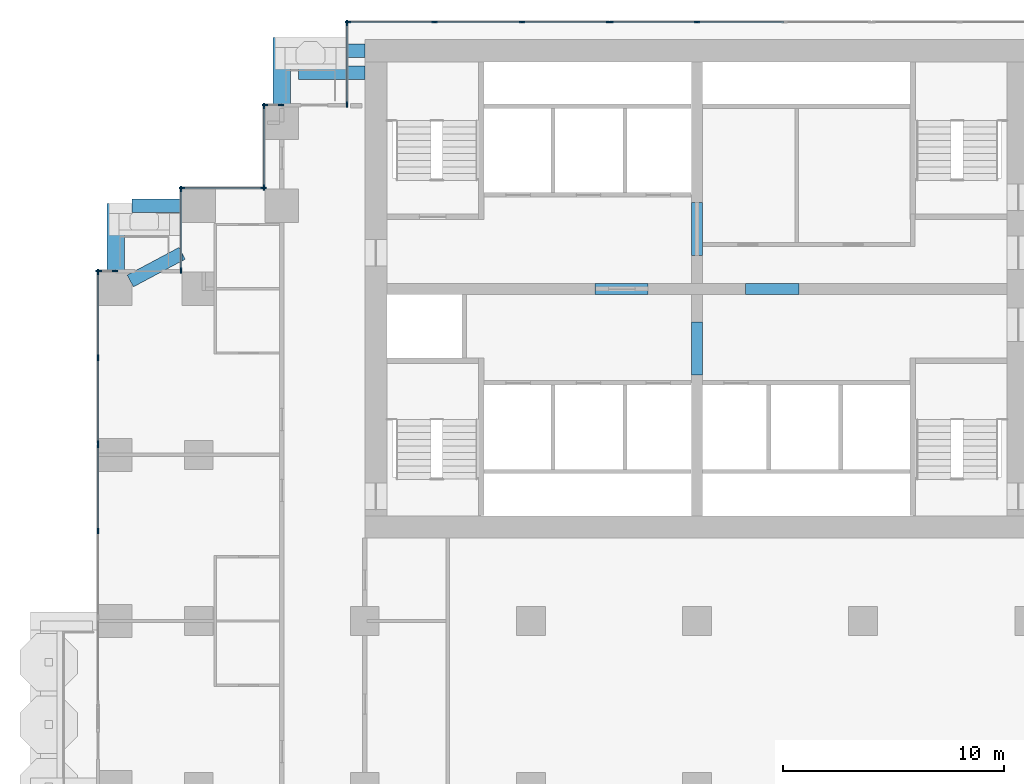
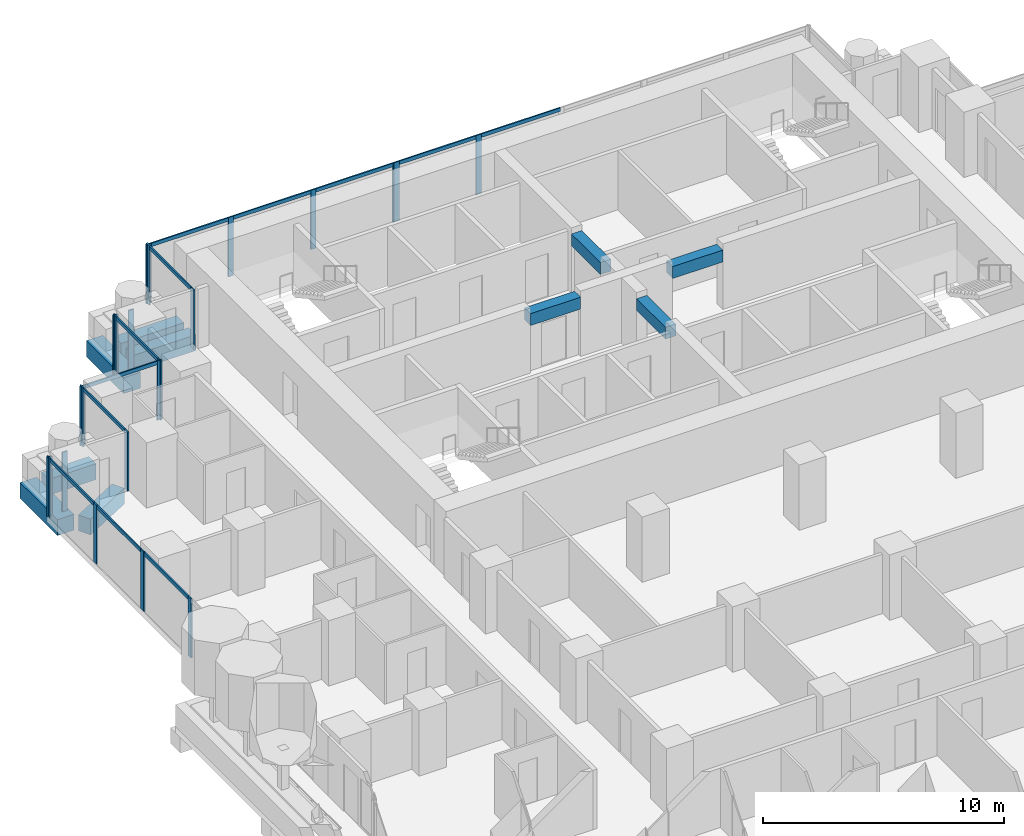
# One storey, part 5 of 19: 35 members, 10 beams, 10 elements without a shape of their own.
"""IFC4 building model written with IfcOpenShell, lengths in metres."""

import ifcopenshell
import ifcopenshell.guid

model = None  # the IFC model being written
_history = None  # IfcOwnerHistory: only IFC2X3 demands one
_inside = {}  # id of a spatial element -> (the spatial element, [elements in it])
_under = {}  # id of a project, library or spatial element -> (it, [spatial elements below it])
_declared = {}  # id of a project -> (the project, [libraries it declares])
_typed = {}  # id of a type object -> (the type object, [elements of that type])
_made_of = {}  # id of a material, layer set ... -> (it, [elements and type objects made of it])


def new_model(schema):
    """Start an empty IFC model of exactly this schema.

    Asked for "IFC4X3", IfcOpenShell would pick the latest addendum, in which some entities
    have other attributes; the version numbers below select the first issue.
    IFC2X3 requires an IfcOwnerHistory on every rooted entity: one is made here for all.
    """
    global model, _history
    if schema == "IFC4X3":
        model = ifcopenshell.file(schema_version=(4, 3, 0, 0))
    else:
        model = ifcopenshell.file(schema=schema)
    _inside.clear()
    _under.clear()
    _declared.clear()
    _typed.clear()
    _made_of.clear()
    _history = None
    if model.schema == "IFC2X3":
        org = make("IfcOrganization", Name="unknown")
        user = make(
            "IfcPersonAndOrganization",
            ThePerson=make("IfcPerson", FamilyName="unknown"),
            TheOrganization=org,
        )
        app = make(
            "IfcApplication",
            ApplicationDeveloper=org,
            Version="unknown",
            ApplicationFullName="unknown",
            ApplicationIdentifier="unknown",
        )
        _history = make(
            "IfcOwnerHistory",
            OwningUser=user,
            OwningApplication=app,
            ChangeAction="ADDED",
            CreationDate=0,
        )
    return model


def make(cls, **values):
    """One entity of the class cls with the attributes given. An attribute that is None is left unset."""
    return model.create_entity(
        cls, **{name: value for name, value in values.items() if value is not None}
    )


def rooted(cls, **values):
    """An entity with a GlobalId (a new one), such as an element, a storey or a relation."""
    return make(cls, GlobalId=ifcopenshell.guid.new(), OwnerHistory=_history, **values)


def si_unit(unit_type, name, prefix=None):
    """IfcSIUnit, for example si_unit("LENGTHUNIT", "METRE", prefix="MILLI")."""
    return make("IfcSIUnit", UnitType=unit_type, Prefix=prefix, Name=name)


def assignment(units):
    """IfcUnitAssignment: the units of a project."""
    return None if units is None else make("IfcUnitAssignment", Units=units)


def point(xyz):
    """IfcCartesianPoint."""
    return None if xyz is None else make("IfcCartesianPoint", Coordinates=xyz)


def direction(xyz):
    """IfcDirection."""
    return None if xyz is None else make("IfcDirection", DirectionRatios=xyz)


def frame(location, z_axis=None, x_axis=None):
    """IfcAxis2Placement3D, a coordinate frame: its origin and axes. An axis left out is left unset."""
    return make(
        "IfcAxis2Placement3D",
        Location=point(location),
        Axis=direction(z_axis),
        RefDirection=direction(x_axis),
    )


def frame_2d(location, x_axis=None):
    """IfcAxis2Placement2D, a coordinate frame in the plane: its origin and x axis."""
    return make(
        "IfcAxis2Placement2D", Location=point(location), RefDirection=direction(x_axis)
    )


def origin():
    """The frame at (0, 0, 0) with its axes left unset."""
    return frame((0.0, 0.0, 0.0))


def origin_2d():
    """The frame at (0, 0) in the plane with its x axis left unset."""
    return frame_2d((0.0, 0.0))


def place(relative_to, where):
    """IfcLocalPlacement: puts the frame where relative to a parent placement (None: the world)."""
    return make(
        "IfcLocalPlacement", PlacementRelTo=relative_to, RelativePlacement=where
    )


def context(
    kind, dimensions, precision=None, world=None, true_north=None, identifier=None
):
    """IfcGeometricRepresentationContext, for example the 3D "Model" context."""
    return make(
        "IfcGeometricRepresentationContext",
        ContextIdentifier=identifier,
        ContextType=kind,
        CoordinateSpaceDimension=dimensions,
        Precision=precision,
        WorldCoordinateSystem=world,
        TrueNorth=true_north,
    )


def subcontext(parent, identifier, kind, view, scale=None):
    """IfcGeometricRepresentationSubContext, for example "Body" below "Model"."""
    return make(
        "IfcGeometricRepresentationSubContext",
        ContextIdentifier=identifier,
        ContextType=kind,
        ParentContext=parent,
        TargetScale=scale,
        TargetView=view,
    )


def project(units=None, contexts=None):
    """IfcProject with its units and contexts."""
    return rooted(
        "IfcProject",
        Name="project",
        RepresentationContexts=contexts,
        UnitsInContext=assignment(units),
    )


def spatial(cls, under=None, at=None, **own):
    """A site, building, storey or space (cls), placed at a placement, below another one or the project."""
    s = rooted(cls, ObjectPlacement=at, **own)
    if under is not None:
        _under.setdefault(under.id(), (under, []))[1].append(s)
    return s


def profile(cls, at=None, kind="AREA", **sizes):
    """A parametric profile (cls). Its sizes go by their IFC names, for example OverallWidth=200.0."""
    return make(cls, ProfileType=kind, Position=at, **sizes)


def rectangle(**sizes):
    """IfcRectangleProfileDef."""
    return profile("IfcRectangleProfileDef", **sizes)


def extrude(swept, where, along, depth):
    """IfcExtrudedAreaSolid: the profile swept, set in the frame where, extruded along a direction by depth."""
    return make(
        "IfcExtrudedAreaSolid",
        SweptArea=swept,
        Position=where,
        ExtrudedDirection=direction(along),
        Depth=depth,
    )


def shape(context_of_items, identifier, shape_type, items):
    """IfcShapeRepresentation: the items that make up one representation, for example the "Body"."""
    return make(
        "IfcShapeRepresentation",
        ContextOfItems=context_of_items,
        RepresentationIdentifier=identifier,
        RepresentationType=shape_type,
        Items=items,
    )


def material(Name=None, Category=None):
    """IfcMaterial."""
    return make("IfcMaterial", Name=Name, Category=Category)


def material_profile(
    of_material, cross_section, Name=None, Category=None, Priority=None
):
    """IfcMaterialProfile: a cross section and its material."""
    return make(
        "IfcMaterialProfile",
        Name=Name,
        Material=of_material,
        Profile=cross_section,
        Priority=Priority,
        Category=Category,
    )


def profile_set(profiles, Name=None, composite=None):
    """IfcMaterialProfileSet."""
    return make(
        "IfcMaterialProfileSet",
        Name=Name,
        MaterialProfiles=profiles,
        CompositeProfile=composite,
    )


def made_of(thing, what):
    """Note that an element or type object is made of a material, layer set ...; save() writes the relation."""
    if what is not None:
        _made_of.setdefault(what.id(), (what, []))[1].append(thing)
    return thing


def type_object(cls, material=None, **own):
    """A type object (cls), such as IfcWallType, which elements share."""
    return made_of(rooted(cls, **own), material)


def element(
    cls,
    number,
    at=None,
    inside=None,
    cuts=None,
    type_object=None,
    material=None,
    context=None,
    identifier="Body",
    shape_type=None,
    held_by="IfcProductDefinitionShape",
    body=None,
    shapes=None,
    **own,
):
    """One element of the class cls, such as IfcWall. Its Tag is "e" and its number.

    at: its placement. inside: the storey or other place that contains it. cuts: it is an
    opening in that element (IfcRelVoidsElement). A single representation is given by context,
    identifier, shape_type and body (its items); several are given by shapes. held_by: the class
    of the entity that holds the representations. save() writes the other relations.
    """
    e = rooted(cls, Tag="e%d" % number, ObjectPlacement=at, **own)
    if body is not None:
        shapes = [shape(context, identifier, shape_type, body)]
    if shapes is not None:
        e.Representation = make(held_by, Representations=shapes)
    if inside is not None:
        _inside.setdefault(inside.id(), (inside, []))[1].append(e)
    if cuts is not None:
        rooted(
            "IfcRelVoidsElement", RelatingBuildingElement=cuts, RelatedOpeningElement=e
        )
    if type_object is not None:
        _typed.setdefault(type_object.id(), (type_object, []))[1].append(e)
    return made_of(e, material)


def aggregate(whole, parts):
    """IfcRelAggregates: a whole, such as a stair, and the parts it consists of."""
    return rooted("IfcRelAggregates", RelatingObject=whole, RelatedObjects=parts)


def save(model, path):
    """Write the relations noted so far, then the file.

    IfcRelAggregates (storeys below a building ...), IfcRelContainedInSpatialStructure (elements
    in a storey), IfcRelDefinesByType, IfcRelAssociatesMaterial and IfcRelDeclares: one each for
    every whole, place, type object, material and project.
    """
    for whole, parts in _under.values():
        aggregate(whole, parts)
    for where, things in _inside.values():
        rooted(
            "IfcRelContainedInSpatialStructure",
            RelatedElements=things,
            RelatingStructure=where,
        )
    for kind, things in _typed.values():
        rooted("IfcRelDefinesByType", RelatedObjects=things, RelatingType=kind)
    for what, things in _made_of.values():
        rooted("IfcRelAssociatesMaterial", RelatedObjects=things, RelatingMaterial=what)
    for by, libraries in _declared.values():
        rooted("IfcRelDeclares", RelatingContext=by, RelatedDefinitions=libraries)
    model.write(path)


model = new_model("IFC4")

# Units and contexts
model_context = context("Model", 3, precision=1e-05, world=origin(), true_north=direction((0.0, 1.0)))
body_context = subcontext(model_context, "Body", "Model", "MODEL_VIEW")
ifc_project = project(units=[si_unit("LENGTHUNIT", "METRE"), si_unit("AREAUNIT", "SQUARE_METRE"), si_unit("VOLUMEUNIT", "CUBIC_METRE"), si_unit("PLANEANGLEUNIT", "RADIAN"), si_unit("MASSUNIT", "GRAM", prefix="KILO")], contexts=[model_context])

# Site, building, storey
site_placement = place(None, origin())
site = spatial("IfcSite", under=ifc_project, at=site_placement, CompositionType="ELEMENT")
building_placement = place(site_placement, origin())
building = spatial("IfcBuilding", under=site, at=building_placement, Name="Pilkhan Gate Tower", CompositionType="ELEMENT")
storey_placement = place(building_placement, frame((0.0, 0.0, 79.10009765625)))
storey = spatial("IfcBuildingStorey", under=building, at=storey_placement, Name="L18", CompositionType="ELEMENT", Elevation=79.10009765625)

# Beams
ifc_material_1 = material(Name="Concrete C50/60", Category="concrete")
ifc_material_profile_1 = material_profile(ifc_material_1, rectangle(XDim=0.60009765625, YDim=0.800048828125, at=origin_2d()), Name="RC 600x800")
ifc_profile_set_1 = profile_set([ifc_material_profile_1], Name="Concrete C50/60")
beam_type_1 = type_object("IfcBeamType", Name="Cantilever beam CB1 RC 600x800 C50/60", PredefinedType="BEAM", material=ifc_profile_set_1)
for number, where, z_axis, x_axis, name in (
    (1, (60.0, 93.25, -0.7001953125), (-1.0, 0.0, 0.0), (0.0, -1.0, 0.0), "Balcony beam NW.2 L18"),
    (2, (60.0, 92.25, -0.7001953125), (-1.0, 0.0, 0.0), (0.0, -1.0, 0.0), "Balcony beam NW.3 L18"),
):
    element("IfcBeam", number, at=place(storey_placement, frame(where, z_axis=z_axis, x_axis=x_axis)), inside=storey, type_object=beam_type_1, Name=name, PredefinedType="BEAM", context=body_context, shape_type="SweptSolid", body=[
        extrude(rectangle(XDim=0.60009765625, YDim=0.800048828125, at=origin_2d()), origin(), (0.0, 0.0, 1.0), 3.0),
    ])
beam_1_placement = place(storey_placement, frame((51.75, 86.25, -0.7001953125), z_axis=(-1.0, 0.0, 0.0), x_axis=(0.0, -1.0, 0.0)))
element("IfcBeam", 3, at=beam_1_placement, inside=storey, type_object=beam_type_1, Name="Balcony beam NW2.2 L18", PredefinedType="BEAM", context=body_context, shape_type="SweptSolid", body=[
    extrude(rectangle(XDim=0.60009765625, YDim=0.800048828125, at=origin_2d()), origin(), (0.0, 0.0, 1.0), 2.25),
])
beam_2_placement = place(storey_placement, frame((49.411865234375, 82.85302734375, -0.7001953125), z_axis=(0.882342739565, 0.470607362817, 0.0), x_axis=(-0.470607362817, 0.882342739565, 0.0)))
element("IfcBeam", 4, at=beam_2_placement, inside=storey, type_object=beam_type_1, Name="Balcony beam NW2.3 L18", PredefinedType="BEAM", context=body_context, shape_type="SweptSolid", body=[
    extrude(rectangle(XDim=0.60009765625, YDim=0.800048828125, at=origin_2d()), origin(), (0.0, 0.0, 1.0), 2.64990234375),
])
ifc_material_profile_2 = material_profile(ifc_material_1, rectangle(XDim=0.800048828125, YDim=0.800048828125, at=origin_2d()), Name="RC 800x800")
ifc_profile_set_2 = profile_set([ifc_material_profile_2], Name="Concrete C50/60")
beam_type_2 = type_object("IfcBeamType", Name="Cantilever beam CB2 RC 800x800 C50/60", PredefinedType="BEAM", material=ifc_profile_set_2)
for number, where, z_axis, x_axis, name in (
    (5, (56.25, 90.75, -0.7001953125), (0.0, 1.0, 0.0), (-1.0, 0.0, 0.0), "Balcony beam NW.1 L18"),
    (6, (48.75, 83.25, -0.7001953125), (0.0, 1.0, 0.0), (-1.0, 0.0, 0.0), "Balcony beam NW2.1 L18"),
):
    element("IfcBeam", number, at=place(storey_placement, frame(where, z_axis=z_axis, x_axis=x_axis)), inside=storey, type_object=beam_type_2, Name=name, PredefinedType="BEAM", context=body_context, shape_type="SweptSolid", body=[
        extrude(rectangle(XDim=0.800048828125, YDim=0.800048828125, at=origin_2d()), origin(), (0.0, 0.0, 1.0), 3.10009765625),
    ])
ifc_material_2 = material(Name="Concrete C70/85", Category="concrete")
ifc_material_profile_3 = material_profile(ifc_material_2, rectangle(XDim=0.5, YDim=0.60009765625, at=origin_2d()), Name="RC 500x600")
ifc_profile_set_3 = profile_set([ifc_material_profile_3], Name="Concrete C70/85")
beam_type_3 = type_object("IfcBeamType", Name="Coupling beam CB60 RC 500x600 C70/85", PredefinedType="LINTEL", material=ifc_profile_set_3)
for number, where, z_axis, x_axis, name in (
    (7, (70.39990234375, 82.5, 2.699951171875), (1.0, 0.0, 0.0), (0.0, 1.0, 0.0), "Coupling beam 1 L18"),
    (8, (77.199951171875, 82.5, 2.699951171875), (1.0, 0.0, 0.0), (0.0, 1.0, 0.0), "Coupling beam 2 L18"),
):
    element("IfcBeam", number, at=place(storey_placement, frame(where, z_axis=z_axis, x_axis=x_axis)), inside=storey, type_object=beam_type_3, Name=name, PredefinedType="LINTEL", context=body_context, shape_type="SweptSolid", body=[
        extrude(rectangle(XDim=0.5, YDim=0.60009765625, at=origin_2d()), origin(), (0.0, 0.0, 1.0), 2.400146484375),
    ])
for number, where, z_axis, x_axis, name in (
    (9, (75.0, 78.60009765625, 2.699951171875), (0.0, 1.0, 0.0), (-1.0, 0.0, 0.0), "Coupling beam 3 L18"),
    (10, (75.0, 84.0, 2.699951171875), (0.0, 1.0, 0.0), (-1.0, 0.0, 0.0), "Coupling beam 4 L18"),
):
    element("IfcBeam", number, at=place(storey_placement, frame(where, z_axis=z_axis, x_axis=x_axis)), inside=storey, type_object=beam_type_3, Name=name, PredefinedType="LINTEL", context=body_context, shape_type="SweptSolid", body=[
        extrude(rectangle(XDim=0.5, YDim=0.60009765625, at=origin_2d()), origin(), (0.0, 0.0, 1.0), 2.39990234375),
    ])

# Curtain wall, members
ifc_material_3 = material(Name="Pale anodised aluminium, clear low-iron double glazing", Category="aluminium")
curtain_wall_type = type_object("IfcCurtainWallType", Name="Hotel unitised curtain wall CW-H", PredefinedType="USERDEFINED", material=ifc_material_3)
curtain_wall_1_placement = place(storey_placement, origin())
curtain_wall_1 = element("IfcCurtainWall", 11, at=curtain_wall_1_placement, inside=storey, type_object=curtain_wall_type, Name="Hotel unitised curtain wall CW-H L18 N", ObjectType="UNITISED CURTAIN WALL", PredefinedType="USERDEFINED")
ifc_material_4 = material(Name="Pale anodised aluminium", Category="aluminium")
ifc_material_profile_4 = material_profile(ifc_material_4, rectangle(XDim=0.06494140625, YDim=0.25, at=origin_2d()), Name="Mullion 250x65")
ifc_profile_set_4 = profile_set([ifc_material_profile_4], Name="Pale anodised aluminium")
member_type_1 = type_object("IfcMemberType", Name="Mullion CW-H 250x65", PredefinedType="MULLION", material=ifc_profile_set_4)
member_1_placement = place(storey_placement, frame((59.237548828125, 94.544921875, 0.0), z_axis=(0.0, 0.0, 1.0), x_axis=(0.0, 1.0, 0.0)))
member_1 = element("IfcMember", 12, at=member_1_placement, type_object=member_type_1, Name="CW-H mullion 1", PredefinedType="MULLION", context=body_context, shape_type="SweptSolid", body=[
    extrude(rectangle(XDim=0.06494140625, YDim=0.25, at=origin_2d()), origin(), (0.0, 0.0, 1.0), 3.0),
])
member_2_placement = place(storey_placement, frame((63.15380859375, 94.544921875, 0.0), z_axis=(0.0, 0.0, 1.0), x_axis=(0.0, 1.0, 0.0)))
member_2 = element("IfcMember", 13, at=member_2_placement, type_object=member_type_1, Name="CW-H mullion 2", PredefinedType="MULLION", context=body_context, shape_type="SweptSolid", body=[
    extrude(rectangle(XDim=0.06494140625, YDim=0.25, at=origin_2d()), origin(), (0.0, 0.0, 1.0), 3.0),
])
member_3_placement = place(storey_placement, frame((67.1025390625, 94.544921875, 0.0), z_axis=(0.0, 0.0, 1.0), x_axis=(0.0, 1.0, 0.0)))
member_3 = element("IfcMember", 14, at=member_3_placement, type_object=member_type_1, Name="CW-H mullion 3", PredefinedType="MULLION", context=body_context, shape_type="SweptSolid", body=[
    extrude(rectangle(XDim=0.06494140625, YDim=0.25, at=origin_2d()), origin(), (0.0, 0.0, 1.0), 3.0),
])
member_4_placement = place(storey_placement, frame((71.018798828125, 94.544921875, 0.0), z_axis=(0.0, 0.0, 1.0), x_axis=(0.0, 1.0, 0.0)))
member_4 = element("IfcMember", 15, at=member_4_placement, type_object=member_type_1, Name="CW-H mullion 4", PredefinedType="MULLION", context=body_context, shape_type="SweptSolid", body=[
    extrude(rectangle(XDim=0.06494140625, YDim=0.25, at=origin_2d()), origin(), (0.0, 0.0, 1.0), 3.0),
])

curtain_wall_2_placement = place(storey_placement, origin())
curtain_wall_2 = element("IfcCurtainWall", 16, at=curtain_wall_2_placement, inside=storey, type_object=curtain_wall_type, Name="Hotel unitised curtain wall CW-H L18 N", ObjectType="UNITISED CURTAIN WALL", PredefinedType="USERDEFINED")
member_5_placement = place(storey_placement, frame((71.083740234375, 94.544921875, 0.0), z_axis=(0.0, 0.0, 1.0), x_axis=(0.0, 1.0, 0.0)))
member_5 = element("IfcMember", 17, at=member_5_placement, type_object=member_type_1, Name="CW-H mullion 1", PredefinedType="MULLION", context=body_context, shape_type="SweptSolid", body=[
    extrude(rectangle(XDim=0.06494140625, YDim=0.25, at=origin_2d()), origin(), (0.0, 0.0, 1.0), 3.0),
])
member_6_placement = place(storey_placement, frame((75.0, 94.544921875, 0.0), z_axis=(0.0, 0.0, 1.0), x_axis=(0.0, 1.0, 0.0)))
member_6 = element("IfcMember", 18, at=member_6_placement, type_object=member_type_1, Name="CW-H mullion 2", PredefinedType="MULLION", context=body_context, shape_type="SweptSolid", body=[
    extrude(rectangle(XDim=0.06494140625, YDim=0.25, at=origin_2d()), origin(), (0.0, 0.0, 1.0), 3.0),
])

curtain_wall_3_placement = place(storey_placement, origin())
curtain_wall_3 = element("IfcCurtainWall", 19, at=curtain_wall_3_placement, inside=storey, type_object=curtain_wall_type, Name="Hotel unitised curtain wall CW-H L18 W", ObjectType="UNITISED CURTAIN WALL", PredefinedType="USERDEFINED")
member_7_placement = place(storey_placement, frame((59.205078125, 90.827392578125, 0.0), z_axis=(0.0, 0.0, 1.0), x_axis=(-1.0, 0.0, 0.0)))
member_7 = element("IfcMember", 20, at=member_7_placement, type_object=member_type_1, Name="CW-H mullion 1", PredefinedType="MULLION", context=body_context, shape_type="SweptSolid", body=[
    extrude(rectangle(XDim=0.06494140625, YDim=0.25, at=origin_2d()), origin(), (0.0, 0.0, 1.0), 3.0),
])
member_8_placement = place(storey_placement, frame((59.205078125, 94.512451171875, 0.0), z_axis=(0.0, 0.0, 1.0), x_axis=(-1.0, 0.0, 0.0)))
member_8 = element("IfcMember", 21, at=member_8_placement, type_object=member_type_1, Name="CW-H mullion 2", PredefinedType="MULLION", context=body_context, shape_type="SweptSolid", body=[
    extrude(rectangle(XDim=0.06494140625, YDim=0.25, at=origin_2d()), origin(), (0.0, 0.0, 1.0), 3.0),
])

curtain_wall_4_placement = place(storey_placement, origin())
curtain_wall_4 = element("IfcCurtainWall", 22, at=curtain_wall_4_placement, inside=storey, type_object=curtain_wall_type, Name="Hotel unitised curtain wall CW-H L18 N", ObjectType="UNITISED CURTAIN WALL", PredefinedType="USERDEFINED")
member_9_placement = place(storey_placement, frame((55.487548828125, 90.794921875, 0.0), z_axis=(0.0, 0.0, 1.0), x_axis=(0.0, 1.0, 0.0)))
member_9 = element("IfcMember", 23, at=member_9_placement, type_object=member_type_1, Name="CW-H mullion 1", PredefinedType="MULLION", context=body_context, shape_type="SweptSolid", body=[
    extrude(rectangle(XDim=0.06494140625, YDim=0.25, at=origin_2d()), origin(), (0.0, 0.0, 1.0), 3.0),
])
member_10_placement = place(storey_placement, frame((56.217529296875, 90.794921875, 0.0), z_axis=(0.0, 0.0, 1.0), x_axis=(0.0, 1.0, 0.0)))
member_10 = element("IfcMember", 24, at=member_10_placement, type_object=member_type_1, Name="CW-H mullion 2", PredefinedType="MULLION", context=body_context, shape_type="SweptSolid", body=[
    extrude(rectangle(XDim=0.06494140625, YDim=0.25, at=origin_2d()), origin(), (0.0, 0.0, 1.0), 3.0),
])
aggregate(curtain_wall_4, [member_9, member_10])

curtain_wall_5_placement = place(storey_placement, origin())
curtain_wall_5 = element("IfcCurtainWall", 25, at=curtain_wall_5_placement, inside=storey, type_object=curtain_wall_type, Name="Hotel unitised curtain wall CW-H L18 W", ObjectType="UNITISED CURTAIN WALL", PredefinedType="USERDEFINED")
member_11_placement = place(storey_placement, frame((55.455078125, 87.077392578125, 0.0), z_axis=(0.0, 0.0, 1.0), x_axis=(-1.0, 0.0, 0.0)))
member_11 = element("IfcMember", 26, at=member_11_placement, type_object=member_type_1, Name="CW-H mullion 1", PredefinedType="MULLION", context=body_context, shape_type="SweptSolid", body=[
    extrude(rectangle(XDim=0.06494140625, YDim=0.25, at=origin_2d()), origin(), (0.0, 0.0, 1.0), 3.0),
])
member_12_placement = place(storey_placement, frame((55.455078125, 90.762451171875, 0.0), z_axis=(0.0, 0.0, 1.0), x_axis=(-1.0, 0.0, 0.0)))
member_12 = element("IfcMember", 27, at=member_12_placement, type_object=member_type_1, Name="CW-H mullion 2", PredefinedType="MULLION", context=body_context, shape_type="SweptSolid", body=[
    extrude(rectangle(XDim=0.06494140625, YDim=0.25, at=origin_2d()), origin(), (0.0, 0.0, 1.0), 3.0),
])

curtain_wall_6_placement = place(storey_placement, origin())
curtain_wall_6 = element("IfcCurtainWall", 28, at=curtain_wall_6_placement, inside=storey, type_object=curtain_wall_type, Name="Hotel unitised curtain wall CW-H L18 N", ObjectType="UNITISED CURTAIN WALL", PredefinedType="USERDEFINED")
member_13_placement = place(storey_placement, frame((51.737548828125, 87.044921875, 0.0), z_axis=(0.0, 0.0, 1.0), x_axis=(0.0, 1.0, 0.0)))
member_13 = element("IfcMember", 29, at=member_13_placement, type_object=member_type_1, Name="CW-H mullion 1", PredefinedType="MULLION", context=body_context, shape_type="SweptSolid", body=[
    extrude(rectangle(XDim=0.06494140625, YDim=0.25, at=origin_2d()), origin(), (0.0, 0.0, 1.0), 3.0),
])
member_14_placement = place(storey_placement, frame((55.422607421875, 87.044921875, 0.0), z_axis=(0.0, 0.0, 1.0), x_axis=(0.0, 1.0, 0.0)))
member_14 = element("IfcMember", 30, at=member_14_placement, type_object=member_type_1, Name="CW-H mullion 2", PredefinedType="MULLION", context=body_context, shape_type="SweptSolid", body=[
    extrude(rectangle(XDim=0.06494140625, YDim=0.25, at=origin_2d()), origin(), (0.0, 0.0, 1.0), 3.0),
])

curtain_wall_7_placement = place(storey_placement, origin())
curtain_wall_7 = element("IfcCurtainWall", 31, at=curtain_wall_7_placement, inside=storey, type_object=curtain_wall_type, Name="Hotel unitised curtain wall CW-H L18 W", ObjectType="UNITISED CURTAIN WALL", PredefinedType="USERDEFINED")
member_15_placement = place(storey_placement, frame((51.705078125, 83.327392578125, 0.0), z_axis=(0.0, 0.0, 1.0), x_axis=(-1.0, 0.0, 0.0)))
member_15 = element("IfcMember", 32, at=member_15_placement, type_object=member_type_1, Name="CW-H mullion 1", PredefinedType="MULLION", context=body_context, shape_type="SweptSolid", body=[
    extrude(rectangle(XDim=0.06494140625, YDim=0.25, at=origin_2d()), origin(), (0.0, 0.0, 1.0), 3.0),
])
member_16_placement = place(storey_placement, frame((51.705078125, 87.012451171875, 0.0), z_axis=(0.0, 0.0, 1.0), x_axis=(-1.0, 0.0, 0.0)))
member_16 = element("IfcMember", 33, at=member_16_placement, type_object=member_type_1, Name="CW-H mullion 2", PredefinedType="MULLION", context=body_context, shape_type="SweptSolid", body=[
    extrude(rectangle(XDim=0.06494140625, YDim=0.25, at=origin_2d()), origin(), (0.0, 0.0, 1.0), 3.0),
])

curtain_wall_8_placement = place(storey_placement, origin())
curtain_wall_8 = element("IfcCurtainWall", 34, at=curtain_wall_8_placement, inside=storey, type_object=curtain_wall_type, Name="Hotel unitised curtain wall CW-H L18 N", ObjectType="UNITISED CURTAIN WALL", PredefinedType="USERDEFINED")
member_17_placement = place(storey_placement, frame((47.987548828125, 83.294921875, 0.0), z_axis=(0.0, 0.0, 1.0), x_axis=(0.0, 1.0, 0.0)))
member_17 = element("IfcMember", 35, at=member_17_placement, type_object=member_type_1, Name="CW-H mullion 1", PredefinedType="MULLION", context=body_context, shape_type="SweptSolid", body=[
    extrude(rectangle(XDim=0.06494140625, YDim=0.25, at=origin_2d()), origin(), (0.0, 0.0, 1.0), 3.0),
])
member_18_placement = place(storey_placement, frame((48.717529296875, 83.294921875, 0.0), z_axis=(0.0, 0.0, 1.0), x_axis=(0.0, 1.0, 0.0)))
member_18 = element("IfcMember", 36, at=member_18_placement, type_object=member_type_1, Name="CW-H mullion 2", PredefinedType="MULLION", context=body_context, shape_type="SweptSolid", body=[
    extrude(rectangle(XDim=0.06494140625, YDim=0.25, at=origin_2d()), origin(), (0.0, 0.0, 1.0), 3.0),
])
aggregate(curtain_wall_8, [member_17, member_18])

curtain_wall_9_placement = place(storey_placement, origin())
curtain_wall_9 = element("IfcCurtainWall", 37, at=curtain_wall_9_placement, inside=storey, type_object=curtain_wall_type, Name="Hotel unitised curtain wall CW-H L18 W", ObjectType="UNITISED CURTAIN WALL", PredefinedType="USERDEFINED")
member_19_placement = place(storey_placement, frame((47.955078125, 71.568115234375, 0.0), z_axis=(0.0, 0.0, 1.0), x_axis=(-1.0, 0.0, 0.0)))
member_19 = element("IfcMember", 38, at=member_19_placement, type_object=member_type_1, Name="CW-H mullion 3", PredefinedType="MULLION", context=body_context, shape_type="SweptSolid", body=[
    extrude(rectangle(XDim=0.06494140625, YDim=0.25, at=origin_2d()), origin(), (0.0, 0.0, 1.0), 3.0),
])
member_20_placement = place(storey_placement, frame((47.955078125, 75.444580078125, 0.0), z_axis=(0.0, 0.0, 1.0), x_axis=(-1.0, 0.0, 0.0)))
member_20 = element("IfcMember", 39, at=member_20_placement, type_object=member_type_1, Name="CW-H mullion 4", PredefinedType="MULLION", context=body_context, shape_type="SweptSolid", body=[
    extrude(rectangle(XDim=0.06494140625, YDim=0.25, at=origin_2d()), origin(), (0.0, 0.0, 1.0), 3.0),
])

curtain_wall_10_placement = place(storey_placement, origin())
curtain_wall_10 = element("IfcCurtainWall", 40, at=curtain_wall_10_placement, inside=storey, type_object=curtain_wall_type, Name="Hotel unitised curtain wall CW-H L18 W", ObjectType="UNITISED CURTAIN WALL", PredefinedType="USERDEFINED")
member_21_placement = place(storey_placement, frame((47.955078125, 75.509521484375, 0.0), z_axis=(0.0, 0.0, 1.0), x_axis=(-1.0, 0.0, 0.0)))
member_21 = element("IfcMember", 41, at=member_21_placement, type_object=member_type_1, Name="CW-H mullion 1", PredefinedType="MULLION", context=body_context, shape_type="SweptSolid", body=[
    extrude(rectangle(XDim=0.06494140625, YDim=0.25, at=origin_2d()), origin(), (0.0, 0.0, 1.0), 3.0),
])
member_22_placement = place(storey_placement, frame((47.955078125, 79.385986328125, 0.0), z_axis=(0.0, 0.0, 1.0), x_axis=(-1.0, 0.0, 0.0)))
member_22 = element("IfcMember", 42, at=member_22_placement, type_object=member_type_1, Name="CW-H mullion 2", PredefinedType="MULLION", context=body_context, shape_type="SweptSolid", body=[
    extrude(rectangle(XDim=0.06494140625, YDim=0.25, at=origin_2d()), origin(), (0.0, 0.0, 1.0), 3.0),
])
member_23_placement = place(storey_placement, frame((47.955078125, 83.262451171875, 0.0), z_axis=(0.0, 0.0, 1.0), x_axis=(-1.0, 0.0, 0.0)))
member_23 = element("IfcMember", 43, at=member_23_placement, type_object=member_type_1, Name="CW-H mullion 3", PredefinedType="MULLION", context=body_context, shape_type="SweptSolid", body=[
    extrude(rectangle(XDim=0.06494140625, YDim=0.25, at=origin_2d()), origin(), (0.0, 0.0, 1.0), 3.0),
])

# Member
ifc_material_profile_5 = material_profile(ifc_material_4, rectangle(XDim=0.06494140625, YDim=0.179931640625, at=origin_2d()), Name="Transom 180x65")
ifc_profile_set_5 = profile_set([ifc_material_profile_5], Name="Pale anodised aluminium")
member_type_2 = type_object("IfcMemberType", Name="Transom CW-H 180x65", PredefinedType="USERDEFINED", material=ifc_profile_set_5)
member_24_placement = place(storey_placement, frame((59.27001953125, 94.544921875, 2.909912109375), z_axis=(1.0, 0.0, 0.0), x_axis=(0.0, 1.0, 0.0)))
member_24 = element("IfcMember", 44, at=member_24_placement, type_object=member_type_2, Name="CW-H transom 1", ObjectType="TRANSOM", PredefinedType="USERDEFINED", context=body_context, shape_type="SweptSolid", body=[
    extrude(rectangle(XDim=0.06494140625, YDim=0.179931640625, at=origin_2d()), origin(), (0.0, 0.0, 1.0), 3.851318359375),
])

member_25_placement = place(storey_placement, frame((63.186279296875, 94.544921875, 2.909912109375), z_axis=(1.0, 0.0, 0.0), x_axis=(0.0, 1.0, 0.0)))
member_25 = element("IfcMember", 45, at=member_25_placement, type_object=member_type_2, Name="CW-H transom 2", ObjectType="TRANSOM", PredefinedType="USERDEFINED", context=body_context, shape_type="SweptSolid", body=[
    extrude(rectangle(XDim=0.06494140625, YDim=0.179931640625, at=origin_2d()), origin(), (0.0, 0.0, 1.0), 3.8837890625),
])

member_26_placement = place(storey_placement, frame((67.135009765625, 94.544921875, 2.909912109375), z_axis=(1.0, 0.0, 0.0), x_axis=(0.0, 1.0, 0.0)))
member_26 = element("IfcMember", 46, at=member_26_placement, type_object=member_type_2, Name="CW-H transom 3", ObjectType="TRANSOM", PredefinedType="USERDEFINED", context=body_context, shape_type="SweptSolid", body=[
    extrude(rectangle(XDim=0.06494140625, YDim=0.179931640625, at=origin_2d()), origin(), (0.0, 0.0, 1.0), 3.851318359375),
])

aggregate(curtain_wall_1, [member_1, member_2, member_3, member_4, member_24, member_25, member_26])

member_27_placement = place(storey_placement, frame((71.1162109375, 94.544921875, 2.909912109375), z_axis=(1.0, 0.0, 0.0), x_axis=(0.0, 1.0, 0.0)))
member_27 = element("IfcMember", 47, at=member_27_placement, type_object=member_type_2, Name="CW-H transom 1", ObjectType="TRANSOM", PredefinedType="USERDEFINED", context=body_context, shape_type="SweptSolid", body=[
    extrude(rectangle(XDim=0.06494140625, YDim=0.179931640625, at=origin_2d()), origin(), (0.0, 0.0, 1.0), 3.851318359375),
])

member_28_placement = place(storey_placement, frame((75.032470703125, 94.544921875, 2.909912109375), z_axis=(1.0, 0.0, 0.0), x_axis=(0.0, 1.0, 0.0)))
member_28 = element("IfcMember", 48, at=member_28_placement, type_object=member_type_2, Name="CW-H transom 2", ObjectType="TRANSOM", PredefinedType="USERDEFINED", context=body_context, shape_type="SweptSolid", body=[
    extrude(rectangle(XDim=0.06494140625, YDim=0.179931640625, at=origin_2d()), origin(), (0.0, 0.0, 1.0), 3.8837890625),
])

aggregate(curtain_wall_2, [member_5, member_6, member_27, member_28])

member_29_placement = place(storey_placement, frame((59.205078125, 90.860107421875, 2.909912109375), z_axis=(0.0, 1.0, 0.0), x_axis=(-1.0, 0.0, 0.0)))
member_29 = element("IfcMember", 49, at=member_29_placement, type_object=member_type_2, Name="CW-H transom 1", ObjectType="TRANSOM", PredefinedType="USERDEFINED", context=body_context, shape_type="SweptSolid", body=[
    extrude(rectangle(XDim=0.06494140625, YDim=0.179931640625, at=origin_2d()), origin(), (0.0, 0.0, 1.0), 3.619873046875),
])

aggregate(curtain_wall_3, [member_7, member_8, member_29])

member_30_placement = place(storey_placement, frame((55.455078125, 87.110107421875, 2.909912109375), z_axis=(0.0, 1.0, 0.0), x_axis=(-1.0, 0.0, 0.0)))
member_30 = element("IfcMember", 50, at=member_30_placement, type_object=member_type_2, Name="CW-H transom 1", ObjectType="TRANSOM", PredefinedType="USERDEFINED", context=body_context, shape_type="SweptSolid", body=[
    extrude(rectangle(XDim=0.06494140625, YDim=0.179931640625, at=origin_2d()), origin(), (0.0, 0.0, 1.0), 3.619873046875),
])

aggregate(curtain_wall_5, [member_11, member_12, member_30])

member_31_placement = place(storey_placement, frame((51.77001953125, 87.044921875, 2.909912109375), z_axis=(1.0, 0.0, 0.0), x_axis=(0.0, 1.0, 0.0)))
member_31 = element("IfcMember", 51, at=member_31_placement, type_object=member_type_2, Name="CW-H transom 1", ObjectType="TRANSOM", PredefinedType="USERDEFINED", context=body_context, shape_type="SweptSolid", body=[
    extrude(rectangle(XDim=0.06494140625, YDim=0.179931640625, at=origin_2d()), origin(), (0.0, 0.0, 1.0), 3.619873046875),
])

aggregate(curtain_wall_6, [member_13, member_14, member_31])

member_32_placement = place(storey_placement, frame((51.705078125, 83.360107421875, 2.909912109375), z_axis=(0.0, 1.0, 0.0), x_axis=(-1.0, 0.0, 0.0)))
member_32 = element("IfcMember", 52, at=member_32_placement, type_object=member_type_2, Name="CW-H transom 1", ObjectType="TRANSOM", PredefinedType="USERDEFINED", context=body_context, shape_type="SweptSolid", body=[
    extrude(rectangle(XDim=0.06494140625, YDim=0.179931640625, at=origin_2d()), origin(), (0.0, 0.0, 1.0), 3.619873046875),
])

aggregate(curtain_wall_7, [member_15, member_16, member_32])

member_33_placement = place(storey_placement, frame((47.955078125, 71.6005859375, 2.909912109375), z_axis=(0.0, 1.0, 0.0), x_axis=(-1.0, 0.0, 0.0)))
member_33 = element("IfcMember", 53, at=member_33_placement, type_object=member_type_2, Name="CW-H transom 3", ObjectType="TRANSOM", PredefinedType="USERDEFINED", context=body_context, shape_type="SweptSolid", body=[
    extrude(rectangle(XDim=0.06494140625, YDim=0.179931640625, at=origin_2d()), origin(), (0.0, 0.0, 1.0), 3.8115234375),
])

aggregate(curtain_wall_9, [member_19, member_20, member_33])

member_34_placement = place(storey_placement, frame((47.955078125, 75.5419921875, 2.909912109375), z_axis=(0.0, 1.0, 0.0), x_axis=(-1.0, 0.0, 0.0)))
member_34 = element("IfcMember", 54, at=member_34_placement, type_object=member_type_2, Name="CW-H transom 1", ObjectType="TRANSOM", PredefinedType="USERDEFINED", context=body_context, shape_type="SweptSolid", body=[
    extrude(rectangle(XDim=0.06494140625, YDim=0.179931640625, at=origin_2d()), origin(), (0.0, 0.0, 1.0), 3.8115234375),
])

member_35_placement = place(storey_placement, frame((47.955078125, 79.41845703125, 2.909912109375), z_axis=(0.0, 1.0, 0.0), x_axis=(-1.0, 0.0, 0.0)))
member_35 = element("IfcMember", 55, at=member_35_placement, type_object=member_type_2, Name="CW-H transom 2", ObjectType="TRANSOM", PredefinedType="USERDEFINED", context=body_context, shape_type="SweptSolid", body=[
    extrude(rectangle(XDim=0.06494140625, YDim=0.179931640625, at=origin_2d()), origin(), (0.0, 0.0, 1.0), 3.8115234375),
])

aggregate(curtain_wall_10, [member_21, member_22, member_23, member_34, member_35])

save(model, "model.ifc")
